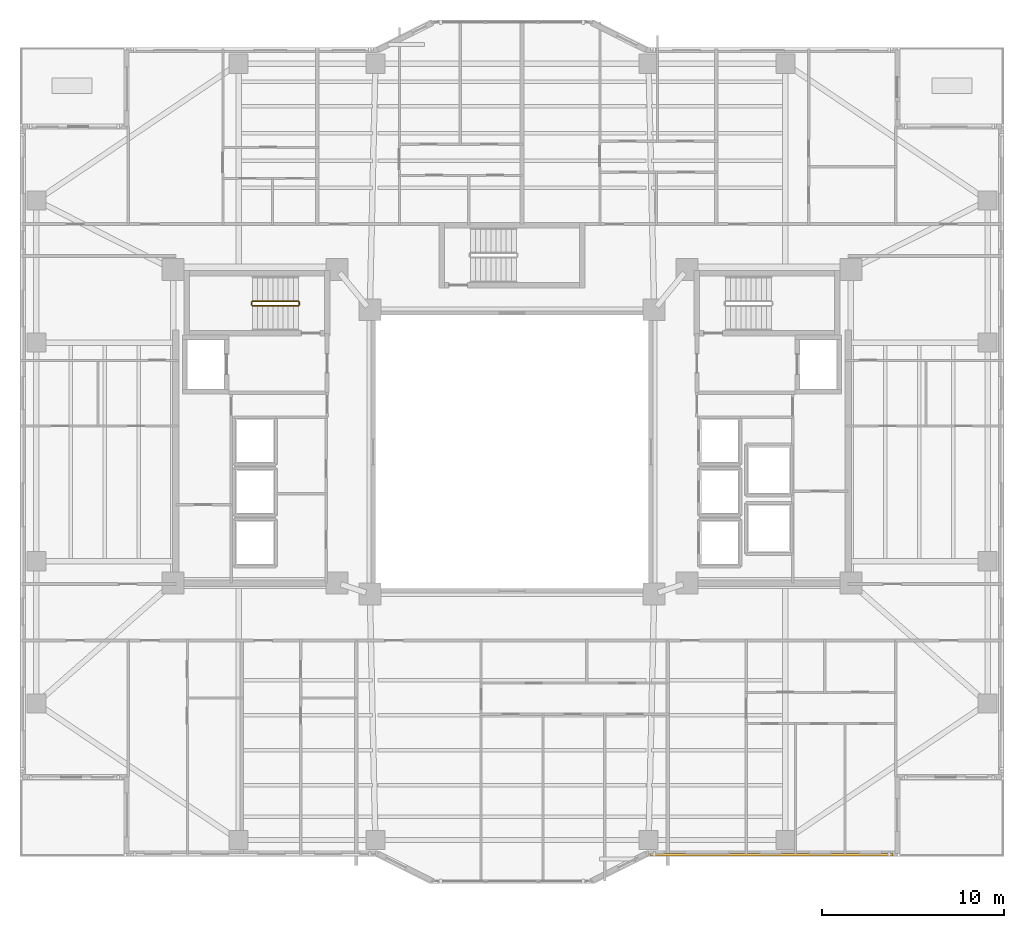
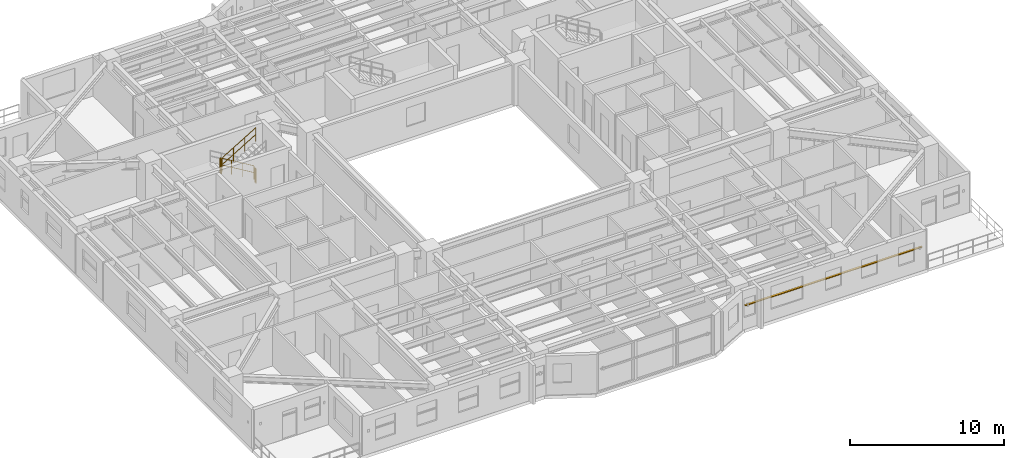
# One storey, part 16 of 19: 4 railings, 1 shading device.
"""IFC4 building model written with IfcOpenShell, lengths in metres."""

from ifc_helpers import new_model, si_unit, direction, frame, origin, origin_2d, place, context, subcontext, project, spatial, rectangle, circle, extrude, material, material_profile, profile_set, type_object, element, save


model = new_model("IFC4")

# Units and contexts
model_context = context("Model", 3, precision=1e-05, world=origin(), true_north=direction((0.0, 1.0)))
body_context = subcontext(model_context, "Body", "Model", "MODEL_VIEW")
ifc_project = project(units=[si_unit("LENGTHUNIT", "METRE"), si_unit("AREAUNIT", "SQUARE_METRE"), si_unit("VOLUMEUNIT", "CUBIC_METRE"), si_unit("PLANEANGLEUNIT", "RADIAN"), si_unit("MASSUNIT", "GRAM", prefix="KILO")], contexts=[model_context])

# Site, building, storey
site_placement = place(None, origin())
site = spatial("IfcSite", under=ifc_project, at=site_placement, CompositionType="ELEMENT")
building_placement = place(site_placement, origin())
building = spatial("IfcBuilding", under=site, at=building_placement, Name="Tarnavaz Court Tower", CompositionType="ELEMENT")
storey_placement = place(building_placement, frame((0.0, 0.0, 78.300048828125)))
storey = spatial("IfcBuildingStorey", under=building, at=storey_placement, Name="L20", CompositionType="ELEMENT", Elevation=78.300048828125)

# Railings
ifc_material_1 = material(Name="Galvanized Painted Tubular Steel", Category="steel")
railing_type = type_object("IfcRailingType", Name="RL-STGUARD-1120", PredefinedType="GUARDRAIL", material=ifc_material_1)
railing_1_placement = place(storey_placement, frame((-11.719970703125, 8.27001953125, 0.16748046875)))
element("IfcRailing", 1, at=railing_1_placement, inside=storey, type_object=railing_type, Name="L20 ST-W1 stair guard 1", PredefinedType="GUARDRAIL", context=body_context, shape_type="SweptSolid", body=[
    extrude(circle(Radius=0.02392578125, at=origin_2d()), frame((0.0, 0.0, 1.09619140625), z_axis=(-0.858159760407, 0.0, 0.513382728203), x_axis=(0.0, -1.0, 0.0)), (0.0, 0.0, 1.0), 2.9365234375),
    extrude(circle(Radius=0.02392578125, at=origin_2d()), frame((0.0, 0.0, 0.56005859375), z_axis=(-0.858159760407, 0.0, 0.513382728203), x_axis=(0.0, -1.0, 0.0)), (0.0, 0.0, 1.0), 2.9365234375),
    extrude(circle(Radius=0.02099609375, at=origin_2d()), origin(), (0.0, 0.0, 1.0), 1.072021484375),
    extrude(circle(Radius=0.02099609375, at=origin_2d()), frame((-0.840087890625, 0.0, 0.50244140625)), (0.0, 0.0, 1.0), 1.072021484375),
    extrude(circle(Radius=0.02099609375, at=origin_2d()), frame((-1.679931640625, 0.0, 1.005126953125)), (0.0, 0.0, 1.0), 1.072021484375),
    extrude(circle(Radius=0.02099609375, at=origin_2d()), frame((-2.52001953125, 0.0, 1.507568359375)), (0.0, 0.0, 1.0), 1.072021484375),
])
railing_2_placement = place(storey_placement, frame((-14.2900390625, 8.219970703125, 1.675048828125)))
element("IfcRailing", 2, at=railing_2_placement, inside=storey, type_object=railing_type, Name="L20 ST-W1 stair guard 2", PredefinedType="GUARDRAIL", context=body_context, shape_type="SweptSolid", body=[
    extrude(circle(Radius=0.02392578125, at=origin_2d()), frame((0.0, 0.0, 1.09619140625), z_axis=(0.0, -1.0, 0.0), x_axis=(1.0, 0.0, 0.0)), (0.0, 0.0, 1.0), 0.14990234375),
    extrude(circle(Radius=0.02392578125, at=origin_2d()), frame((0.0, 0.0, 0.56005859375), z_axis=(0.0, -1.0, 0.0), x_axis=(1.0, 0.0, 0.0)), (0.0, 0.0, 1.0), 0.14990234375),
    extrude(circle(Radius=0.02099609375, at=origin_2d()), origin(), (0.0, 0.0, 1.0), 1.072021484375),
    extrude(circle(Radius=0.02099609375, at=origin_2d()), frame((0.0, -0.14990234375, 0.0)), (0.0, 0.0, 1.0), 1.072021484375),
])
railing_3_placement = place(storey_placement, frame((-14.239990234375, 8.02001953125, 1.842529296875)))
element("IfcRailing", 3, at=railing_3_placement, inside=storey, type_object=railing_type, Name="L20 ST-W1 stair guard 3", PredefinedType="GUARDRAIL", context=body_context, shape_type="SweptSolid", body=[
    extrude(circle(Radius=0.02392578125, at=origin_2d()), frame((0.0, 0.0, 1.09619140625), z_axis=(0.858196387827, 0.0, 0.513321497621), x_axis=(0.0, 1.0, 0.0)), (0.0, 0.0, 1.0), 2.9365234375),
    extrude(circle(Radius=0.02392578125, at=origin_2d()), frame((0.0, 0.0, 0.56005859375), z_axis=(0.858196387827, 0.0, 0.513321497621), x_axis=(0.0, 1.0, 0.0)), (0.0, 0.0, 1.0), 2.9365234375),
    extrude(circle(Radius=0.02099609375, at=origin_2d()), origin(), (0.0, 0.0, 1.0), 1.072021484375),
    extrude(circle(Radius=0.02099609375, at=origin_2d()), frame((0.840087890625, 0.0, 0.50244140625)), (0.0, 0.0, 1.0), 1.072021484375),
    extrude(circle(Radius=0.02099609375, at=origin_2d()), frame((1.679931640625, 0.0, 1.0048828125)), (0.0, 0.0, 1.0), 1.072021484375),
    extrude(circle(Radius=0.02099609375, at=origin_2d()), frame((2.52001953125, 0.0, 1.50732421875)), (0.0, 0.0, 1.0), 1.072021484375),
])
railing_4_placement = place(storey_placement, frame((-11.669921875, 8.219970703125, 0.0)))
element("IfcRailing", 4, at=railing_4_placement, inside=storey, type_object=railing_type, Name="L20 ST-W1 stair guard 4", PredefinedType="GUARDRAIL", context=body_context, shape_type="SweptSolid", body=[
    extrude(circle(Radius=0.02392578125, at=origin_2d()), frame((0.0, 0.0, 1.09619140625), z_axis=(0.0, -1.0, 0.0), x_axis=(1.0, 0.0, 0.0)), (0.0, 0.0, 1.0), 0.14990234375),
    extrude(circle(Radius=0.02392578125, at=origin_2d()), frame((0.0, 0.0, 0.56005859375), z_axis=(0.0, -1.0, 0.0), x_axis=(1.0, 0.0, 0.0)), (0.0, 0.0, 1.0), 0.14990234375),
    extrude(circle(Radius=0.02099609375, at=origin_2d()), origin(), (0.0, 0.0, 1.0), 1.072021484375),
    extrude(circle(Radius=0.02099609375, at=origin_2d()), frame((0.0, -0.14990234375, 0.0)), (0.0, 0.0, 1.0), 1.072021484375),
])

# Shading device
ifc_material_2 = material(Name="Kiln-Fired Khorasan Terracotta Ceramic", Category="masonry")
ifc_material_profile = material_profile(ifc_material_2, rectangle(XDim=0.14990234375, YDim=0.06494140625, at=origin_2d()), Name="TC BAGUETTE 150X65")
ifc_profile_set = profile_set([ifc_material_profile], Name="Kiln-Fired Khorasan Terracotta Ceramic")
shading_device_type = type_object("IfcShadingDeviceType", Name="SD-BAG-150", PredefinedType="USERDEFINED", material=ifc_profile_set)
shading_device_placement = place(storey_placement, frame((20.89990234375, -22.110107421875, 1.849853515625), z_axis=(-1.0, 0.0, 0.0), x_axis=(0.0, -1.0, 0.0)))
element("IfcShadingDevice", 5, at=shading_device_placement, inside=storey, type_object=shading_device_type, Name="L20 Terracotta Baguette Screen FBG15", ObjectType="BAGUETTE", PredefinedType="USERDEFINED", context=body_context, shape_type="SweptSolid", body=[
    extrude(rectangle(XDim=0.14990234375, YDim=0.06494140625, at=origin_2d()), origin(), (0.0, 0.0, 1.0), 13.2998046875),
])

save(model, "model.ifc")
